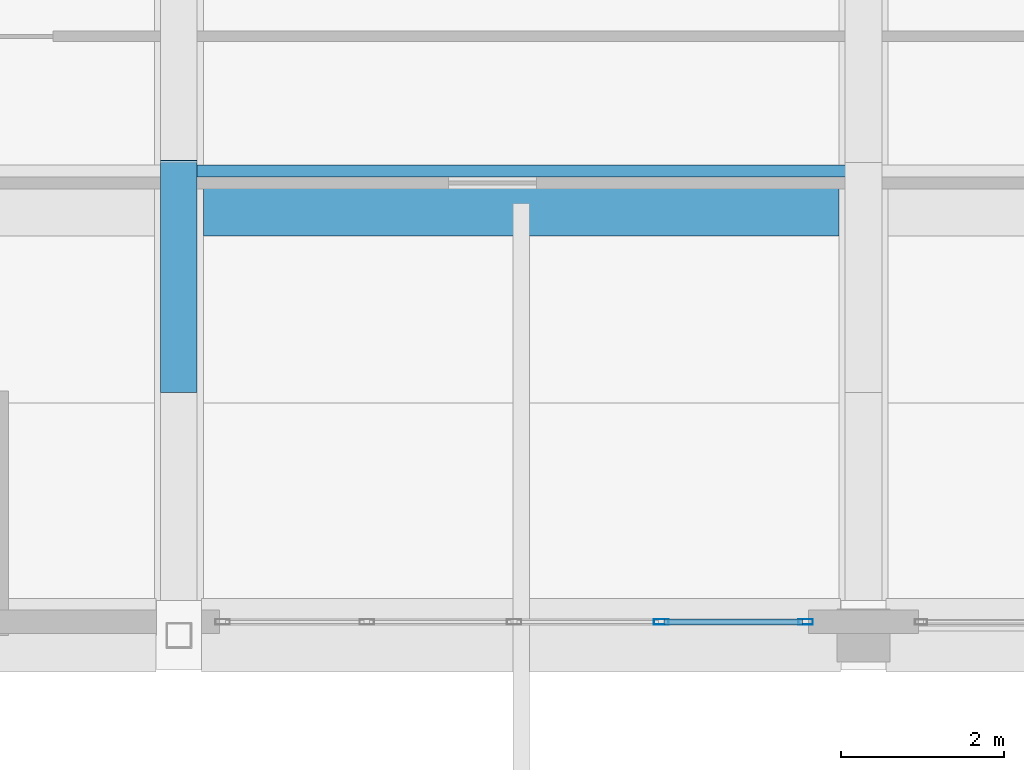
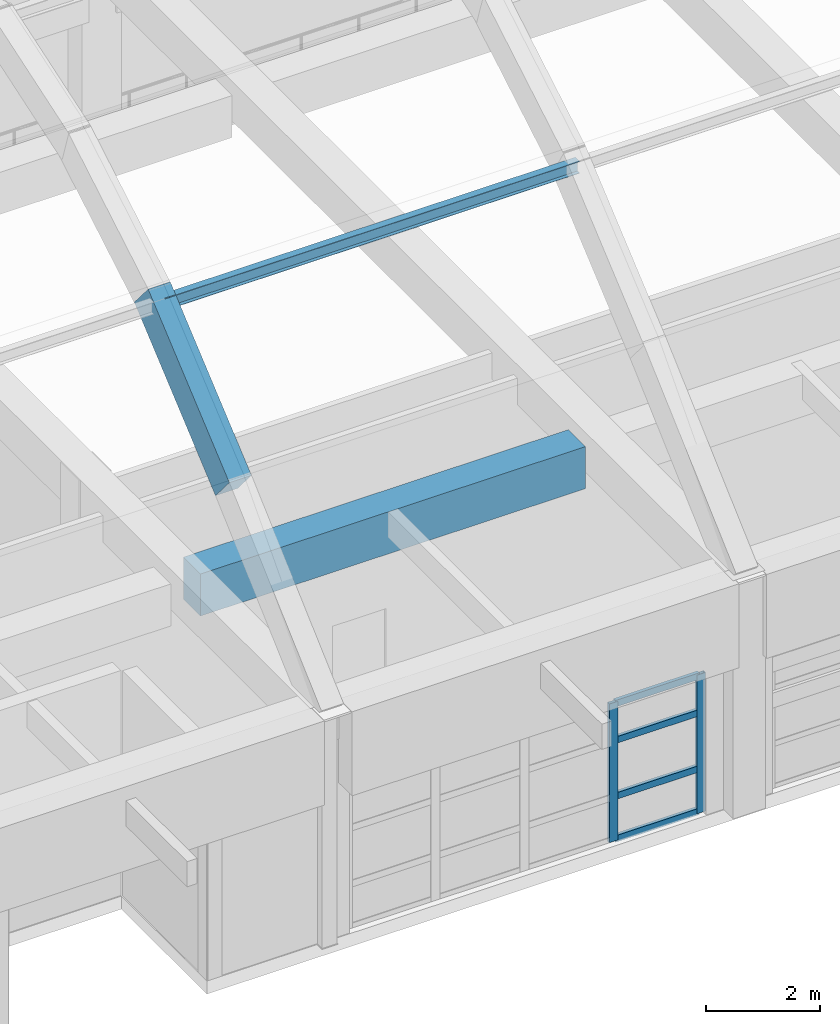
# One storey, part 38 of 103: 7 members, 2 beams, 1 element without a shape of its own.
"""IFC4 building model written with IfcOpenShell, lengths in metres."""

import ifcopenshell
import ifcopenshell.guid

model = None  # the IFC model being written
_history = None  # IfcOwnerHistory: only IFC2X3 demands one
_inside = {}  # id of a spatial element -> (the spatial element, [elements in it])
_under = {}  # id of a project, library or spatial element -> (it, [spatial elements below it])
_declared = {}  # id of a project -> (the project, [libraries it declares])
_typed = {}  # id of a type object -> (the type object, [elements of that type])
_made_of = {}  # id of a material, layer set ... -> (it, [elements and type objects made of it])


def new_model(schema):
    """Start an empty IFC model of exactly this schema.

    Asked for "IFC4X3", IfcOpenShell would pick the latest addendum, in which some entities
    have other attributes; the version numbers below select the first issue.
    IFC2X3 requires an IfcOwnerHistory on every rooted entity: one is made here for all.
    """
    global model, _history
    if schema == "IFC4X3":
        model = ifcopenshell.file(schema_version=(4, 3, 0, 0))
    else:
        model = ifcopenshell.file(schema=schema)
    _inside.clear()
    _under.clear()
    _declared.clear()
    _typed.clear()
    _made_of.clear()
    _history = None
    if model.schema == "IFC2X3":
        org = make("IfcOrganization", Name="unknown")
        user = make(
            "IfcPersonAndOrganization",
            ThePerson=make("IfcPerson", FamilyName="unknown"),
            TheOrganization=org,
        )
        app = make(
            "IfcApplication",
            ApplicationDeveloper=org,
            Version="unknown",
            ApplicationFullName="unknown",
            ApplicationIdentifier="unknown",
        )
        _history = make(
            "IfcOwnerHistory",
            OwningUser=user,
            OwningApplication=app,
            ChangeAction="ADDED",
            CreationDate=0,
        )
    return model


def make(cls, **values):
    """One entity of the class cls with the attributes given. An attribute that is None is left unset."""
    return model.create_entity(
        cls, **{name: value for name, value in values.items() if value is not None}
    )


def rooted(cls, **values):
    """An entity with a GlobalId (a new one), such as an element, a storey or a relation."""
    return make(cls, GlobalId=ifcopenshell.guid.new(), OwnerHistory=_history, **values)


def si_unit(unit_type, name, prefix=None):
    """IfcSIUnit, for example si_unit("LENGTHUNIT", "METRE", prefix="MILLI")."""
    return make("IfcSIUnit", UnitType=unit_type, Prefix=prefix, Name=name)


def assignment(units):
    """IfcUnitAssignment: the units of a project."""
    return None if units is None else make("IfcUnitAssignment", Units=units)


def point(xyz):
    """IfcCartesianPoint."""
    return None if xyz is None else make("IfcCartesianPoint", Coordinates=xyz)


def direction(xyz):
    """IfcDirection."""
    return None if xyz is None else make("IfcDirection", DirectionRatios=xyz)


def frame(location, z_axis=None, x_axis=None):
    """IfcAxis2Placement3D, a coordinate frame: its origin and axes. An axis left out is left unset."""
    return make(
        "IfcAxis2Placement3D",
        Location=point(location),
        Axis=direction(z_axis),
        RefDirection=direction(x_axis),
    )


def frame_2d(location, x_axis=None):
    """IfcAxis2Placement2D, a coordinate frame in the plane: its origin and x axis."""
    return make(
        "IfcAxis2Placement2D", Location=point(location), RefDirection=direction(x_axis)
    )


def origin():
    """The frame at (0, 0, 0) with its axes left unset."""
    return frame((0.0, 0.0, 0.0))


def origin_2d():
    """The frame at (0, 0) in the plane with its x axis left unset."""
    return frame_2d((0.0, 0.0))


def place(relative_to, where):
    """IfcLocalPlacement: puts the frame where relative to a parent placement (None: the world)."""
    return make(
        "IfcLocalPlacement", PlacementRelTo=relative_to, RelativePlacement=where
    )


def context(
    kind, dimensions, precision=None, world=None, true_north=None, identifier=None
):
    """IfcGeometricRepresentationContext, for example the 3D "Model" context."""
    return make(
        "IfcGeometricRepresentationContext",
        ContextIdentifier=identifier,
        ContextType=kind,
        CoordinateSpaceDimension=dimensions,
        Precision=precision,
        WorldCoordinateSystem=world,
        TrueNorth=true_north,
    )


def subcontext(parent, identifier, kind, view, scale=None):
    """IfcGeometricRepresentationSubContext, for example "Body" below "Model"."""
    return make(
        "IfcGeometricRepresentationSubContext",
        ContextIdentifier=identifier,
        ContextType=kind,
        ParentContext=parent,
        TargetScale=scale,
        TargetView=view,
    )


def project(units=None, contexts=None):
    """IfcProject with its units and contexts."""
    return rooted(
        "IfcProject",
        Name="project",
        RepresentationContexts=contexts,
        UnitsInContext=assignment(units),
    )


def spatial(cls, under=None, at=None, **own):
    """A site, building, storey or space (cls), placed at a placement, below another one or the project."""
    s = rooted(cls, ObjectPlacement=at, **own)
    if under is not None:
        _under.setdefault(under.id(), (under, []))[1].append(s)
    return s


def profile(cls, at=None, kind="AREA", **sizes):
    """A parametric profile (cls). Its sizes go by their IFC names, for example OverallWidth=200.0."""
    return make(cls, ProfileType=kind, Position=at, **sizes)


def rectangle(**sizes):
    """IfcRectangleProfileDef."""
    return profile("IfcRectangleProfileDef", **sizes)


def hollow_rectangle(**sizes):
    """IfcRectangleHollowProfileDef."""
    return profile("IfcRectangleHollowProfileDef", **sizes)


def i_section(**sizes):
    """IfcIShapeProfileDef."""
    return profile("IfcIShapeProfileDef", **sizes)


def extrude(swept, where, along, depth):
    """IfcExtrudedAreaSolid: the profile swept, set in the frame where, extruded along a direction by depth."""
    return make(
        "IfcExtrudedAreaSolid",
        SweptArea=swept,
        Position=where,
        ExtrudedDirection=direction(along),
        Depth=depth,
    )


def shape(context_of_items, identifier, shape_type, items):
    """IfcShapeRepresentation: the items that make up one representation, for example the "Body"."""
    return make(
        "IfcShapeRepresentation",
        ContextOfItems=context_of_items,
        RepresentationIdentifier=identifier,
        RepresentationType=shape_type,
        Items=items,
    )


def material(Name=None, Category=None):
    """IfcMaterial."""
    return make("IfcMaterial", Name=Name, Category=Category)


def layer(
    of_material, thickness, ventilated=None, Name=None, Category=None, Priority=None
):
    """IfcMaterialLayer: one layer of a wall or slab, of a material (None: an air gap)."""
    return make(
        "IfcMaterialLayer",
        Material=of_material,
        LayerThickness=thickness,
        IsVentilated=ventilated,
        Name=Name,
        Category=Category,
        Priority=Priority,
    )


def layer_set(layers, Name=None):
    """IfcMaterialLayerSet."""
    return make("IfcMaterialLayerSet", MaterialLayers=layers, LayerSetName=Name)


def material_profile(
    of_material, cross_section, Name=None, Category=None, Priority=None
):
    """IfcMaterialProfile: a cross section and its material."""
    return make(
        "IfcMaterialProfile",
        Name=Name,
        Material=of_material,
        Profile=cross_section,
        Priority=Priority,
        Category=Category,
    )


def profile_set(profiles, Name=None, composite=None):
    """IfcMaterialProfileSet."""
    return make(
        "IfcMaterialProfileSet",
        Name=Name,
        MaterialProfiles=profiles,
        CompositeProfile=composite,
    )


def made_of(thing, what):
    """Note that an element or type object is made of a material, layer set ...; save() writes the relation."""
    if what is not None:
        _made_of.setdefault(what.id(), (what, []))[1].append(thing)
    return thing


def type_object(cls, material=None, **own):
    """A type object (cls), such as IfcWallType, which elements share."""
    return made_of(rooted(cls, **own), material)


def element(
    cls,
    number,
    at=None,
    inside=None,
    cuts=None,
    type_object=None,
    material=None,
    context=None,
    identifier="Body",
    shape_type=None,
    held_by="IfcProductDefinitionShape",
    body=None,
    shapes=None,
    **own,
):
    """One element of the class cls, such as IfcWall. Its Tag is "e" and its number.

    at: its placement. inside: the storey or other place that contains it. cuts: it is an
    opening in that element (IfcRelVoidsElement). A single representation is given by context,
    identifier, shape_type and body (its items); several are given by shapes. held_by: the class
    of the entity that holds the representations. save() writes the other relations.
    """
    e = rooted(cls, Tag="e%d" % number, ObjectPlacement=at, **own)
    if body is not None:
        shapes = [shape(context, identifier, shape_type, body)]
    if shapes is not None:
        e.Representation = make(held_by, Representations=shapes)
    if inside is not None:
        _inside.setdefault(inside.id(), (inside, []))[1].append(e)
    if cuts is not None:
        rooted(
            "IfcRelVoidsElement", RelatingBuildingElement=cuts, RelatedOpeningElement=e
        )
    if type_object is not None:
        _typed.setdefault(type_object.id(), (type_object, []))[1].append(e)
    return made_of(e, material)


def aggregate(whole, parts):
    """IfcRelAggregates: a whole, such as a stair, and the parts it consists of."""
    return rooted("IfcRelAggregates", RelatingObject=whole, RelatedObjects=parts)


def save(model, path):
    """Write the relations noted so far, then the file.

    IfcRelAggregates (storeys below a building ...), IfcRelContainedInSpatialStructure (elements
    in a storey), IfcRelDefinesByType, IfcRelAssociatesMaterial and IfcRelDeclares: one each for
    every whole, place, type object, material and project.
    """
    for whole, parts in _under.values():
        aggregate(whole, parts)
    for where, things in _inside.values():
        rooted(
            "IfcRelContainedInSpatialStructure",
            RelatedElements=things,
            RelatingStructure=where,
        )
    for kind, things in _typed.values():
        rooted("IfcRelDefinesByType", RelatedObjects=things, RelatingType=kind)
    for what, things in _made_of.values():
        rooted("IfcRelAssociatesMaterial", RelatedObjects=things, RelatingMaterial=what)
    for by, libraries in _declared.values():
        rooted("IfcRelDeclares", RelatingContext=by, RelatedDefinitions=libraries)
    model.write(path)


model = new_model("IFC4")

# Units and contexts
model_context = context("Model", 3, precision=1e-05, world=origin(), true_north=direction((0.0, 1.0)))
body_context = subcontext(model_context, "Body", "Model", "MODEL_VIEW")
ifc_project = project(units=[si_unit("LENGTHUNIT", "METRE"), si_unit("AREAUNIT", "SQUARE_METRE"), si_unit("VOLUMEUNIT", "CUBIC_METRE"), si_unit("PLANEANGLEUNIT", "RADIAN"), si_unit("MASSUNIT", "GRAM", prefix="KILO")], contexts=[model_context])

# Site, building, storey
site_placement = place(None, origin())
site = spatial("IfcSite", under=ifc_project, at=site_placement, CompositionType="ELEMENT")
building_placement = place(site_placement, origin())
building = spatial("IfcBuilding", under=site, at=building_placement, Name="Quendrovan Civic Courthouse", CompositionType="ELEMENT")
storey_placement = place(building_placement, frame((0.0, 0.0, 15.300048828125)))
storey = spatial("IfcBuildingStorey", under=building, at=storey_placement, Name="L04", CompositionType="ELEMENT", Elevation=15.300048828125)

# Beams
ifc_material_1 = material(Name="Concrete C40/50", Category="concrete")
ifc_material_profile_1 = material_profile(ifc_material_1, rectangle(XDim=0.60009765625, YDim=0.89990234375, at=origin_2d()), Name="RC-BM-600x900")
ifc_profile_set_1 = profile_set([ifc_material_profile_1], Name="Concrete C40/50")
beam_type_1 = type_object("IfcBeamType", Name="BM-RC900", PredefinedType="BEAM", material=ifc_profile_set_1)
beam_1_placement = place(storey_placement, frame((50.699951171875, 70.0, 4.349853515625), z_axis=(1.0, 0.0, 0.0), x_axis=(0.0, 1.0, 0.0)))
element("IfcBeam", 1, at=beam_1_placement, inside=storey, type_object=beam_type_1, Name="BV2 Eave Backspan Collector Beam S-B3", PredefinedType="BEAM", context=body_context, shape_type="SweptSolid", body=[
    extrude(rectangle(XDim=0.60009765625, YDim=0.89990234375, at=origin_2d()), origin(), (0.0, 0.0, 1.0), 7.800048828125),
])
ifc_material_profile_2 = material_profile(ifc_material_1, rectangle(XDim=0.449951171875, YDim=0.75, at=origin_2d()), Name="RC-VRIB-450x750")
ifc_profile_set_2 = profile_set([ifc_material_profile_2], Name="Concrete C40/50")
beam_type_2 = type_object("IfcBeamType", Name="BM-VRIB750", PredefinedType="BEAM", material=ifc_profile_set_2)
beam_2_placement = place(storey_placement, frame((50.39990234375, 68.022216796875, 7.818603515625), z_axis=(0.0, 0.762391958025, 0.647115524724), x_axis=(-1.0, 0.0, 0.0)))
element("IfcBeam", 2, at=beam_2_placement, inside=storey, type_object=beam_type_2, Name="BV2 Concrete Vault Arch Rib A3-C2", PredefinedType="BEAM", context=body_context, shape_type="SweptSolid", body=[
    extrude(rectangle(XDim=0.449951171875, YDim=0.75, at=origin_2d()), origin(), (0.0, 0.0, 1.0), 3.738037109375),
])

# Curtain wall, members
ifc_material_2 = material(Name="Bronze anodised aluminium and low-E glass", Category="aluminium")
ifc_layer = layer(ifc_material_2, 0.179931640625, Name="Bronze anodised aluminium and low-E glass")
ifc_layer_set = layer_set([ifc_layer], Name="Bronze anodised aluminium and low-E glass")
curtain_wall_type = type_object("IfcCurtainWallType", Name="CW-U72x30", PredefinedType="USERDEFINED", material=ifc_layer_set)
curtain_wall_placement = place(storey_placement, origin())
curtain_wall = element("IfcCurtainWall", 3, at=curtain_wall_placement, inside=storey, type_object=curtain_wall_type, Name="L04 Unitised Hurricane Curtain Wall CW-162", ObjectType="UNITISED CURTAIN WALL", PredefinedType="USERDEFINED")
ifc_material_3 = material(Name="Bronze anodised aluminium", Category="aluminium")
ifc_material_profile_3 = material_profile(ifc_material_3, hollow_rectangle(XDim=0.070068359375, YDim=0.179931640625, WallThickness=0.00390625, at=origin_2d()), Name="CW-MULL-70x180")
ifc_profile_set_3 = profile_set([ifc_material_profile_3], Name="Bronze anodised aluminium")
member_type_1 = type_object("IfcMemberType", Name="CW-MULL-A", PredefinedType="MULLION", material=ifc_profile_set_3)
member_1_placement = place(storey_placement, frame((58.090087890625, 64.965087890625, 0.0), z_axis=(0.0, 0.0, 1.0), x_axis=(0.0, -1.0, 0.0)))
member_1 = element("IfcMember", 4, at=member_1_placement, type_object=member_type_1, Name="CW-162 mullion 1", PredefinedType="MULLION", context=body_context, shape_type="SweptSolid", body=[
    extrude(hollow_rectangle(XDim=0.070068359375, YDim=0.179931640625, WallThickness=0.00390625, at=origin_2d()), origin(), (0.0, 0.0, 1.0), 2.969970703125),
])
member_2_placement = place(storey_placement, frame((56.31884765625, 64.965087890625, 0.0), z_axis=(0.0, 0.0, 1.0), x_axis=(0.0, -1.0, 0.0)))
member_2 = element("IfcMember", 5, at=member_2_placement, type_object=member_type_1, Name="CW-162 mullion 2", PredefinedType="MULLION", context=body_context, shape_type="SweptSolid", body=[
    extrude(hollow_rectangle(XDim=0.070068359375, YDim=0.179931640625, WallThickness=0.00390625, at=origin_2d()), origin(), (0.0, 0.0, 1.0), 2.969970703125),
])
ifc_material_profile_4 = material_profile(ifc_material_3, hollow_rectangle(XDim=0.070068359375, YDim=0.139892578125, WallThickness=0.00390625, at=origin_2d()), Name="CW-TRAN-70x140")
ifc_profile_set_4 = profile_set([ifc_material_profile_4], Name="Bronze anodised aluminium")
member_type_2 = type_object("IfcMemberType", Name="CW-TRAN-A", PredefinedType="USERDEFINED", material=ifc_profile_set_4)
member_3_placement = place(storey_placement, frame((58.054931640625, 64.965087890625, 0.034912109375), z_axis=(-1.0, 0.0, 0.0), x_axis=(0.0, -1.0, 0.0)))
member_3 = element("IfcMember", 6, at=member_3_placement, type_object=member_type_2, Name="CW-162 transom 1.1", ObjectType="TRANSOM", PredefinedType="USERDEFINED", context=body_context, shape_type="SweptSolid", body=[
    extrude(hollow_rectangle(XDim=0.070068359375, YDim=0.139892578125, WallThickness=0.00390625, at=origin_2d()), origin(), (0.0, 0.0, 1.0), 1.701171875),
])
member_4_placement = place(storey_placement, frame((58.054931640625, 64.965087890625, 0.949951171875), z_axis=(-1.0, 0.0, 0.0), x_axis=(0.0, -1.0, 0.0)))
member_4 = element("IfcMember", 7, at=member_4_placement, type_object=member_type_2, Name="CW-162 transom 1.2", ObjectType="TRANSOM", PredefinedType="USERDEFINED", context=body_context, shape_type="SweptSolid", body=[
    extrude(hollow_rectangle(XDim=0.070068359375, YDim=0.139892578125, WallThickness=0.00390625, at=origin_2d()), origin(), (0.0, 0.0, 1.0), 1.701171875),
])
member_5_placement = place(storey_placement, frame((58.054931640625, 64.965087890625, 2.14990234375), z_axis=(-1.0, 0.0, 0.0), x_axis=(0.0, -1.0, 0.0)))
member_5 = element("IfcMember", 8, at=member_5_placement, type_object=member_type_2, Name="CW-162 transom 1.3", ObjectType="TRANSOM", PredefinedType="USERDEFINED", context=body_context, shape_type="SweptSolid", body=[
    extrude(hollow_rectangle(XDim=0.070068359375, YDim=0.139892578125, WallThickness=0.00390625, at=origin_2d()), origin(), (0.0, 0.0, 1.0), 1.701171875),
])
member_6_placement = place(storey_placement, frame((58.054931640625, 64.965087890625, 2.93505859375), z_axis=(-1.0, 0.0, 0.0), x_axis=(0.0, -1.0, 0.0)))
member_6 = element("IfcMember", 9, at=member_6_placement, type_object=member_type_2, Name="CW-162 transom 1.4", ObjectType="TRANSOM", PredefinedType="USERDEFINED", context=body_context, shape_type="SweptSolid", body=[
    extrude(hollow_rectangle(XDim=0.070068359375, YDim=0.139892578125, WallThickness=0.00390625, at=origin_2d()), origin(), (0.0, 0.0, 1.0), 1.701171875),
])
aggregate(curtain_wall, [member_1, member_2, member_3, member_4, member_5, member_6])

# Member
ifc_material_4 = material(Name="Steel ASTM A992 Grade 50", Category="steel")
ifc_material_profile_5 = material_profile(ifc_material_4, i_section(OverallWidth=0.14599609375, OverallDepth=0.258056640625, WebThickness=0.006103515625, FlangeThickness=0.009033203125, at=origin_2d()), Name="W250x33")
ifc_profile_set_5 = profile_set([ifc_material_profile_5], Name="Steel ASTM A992 Grade 50")
member_type_3 = type_object("IfcMemberType", Name="MEM-PUR-W250", PredefinedType="PURLIN", material=ifc_profile_set_5)
member_7_placement = place(storey_placement, frame((50.39990234375, 70.5, 10.23583984375), z_axis=(1.0, 0.0, 0.0), x_axis=(0.0, 1.0, 0.0)))
element("IfcMember", 10, at=member_7_placement, inside=storey, type_object=member_type_3, Name="BV2 Vault Longitudinal Purlin B3-1", PredefinedType="PURLIN", context=body_context, shape_type="SweptSolid", body=[
    extrude(i_section(OverallWidth=0.14599609375, OverallDepth=0.258056640625, WebThickness=0.006103515625, FlangeThickness=0.009033203125, at=origin_2d()), origin(), (0.0, 0.0, 1.0), 8.400146484375),
])

save(model, "model.ifc")
